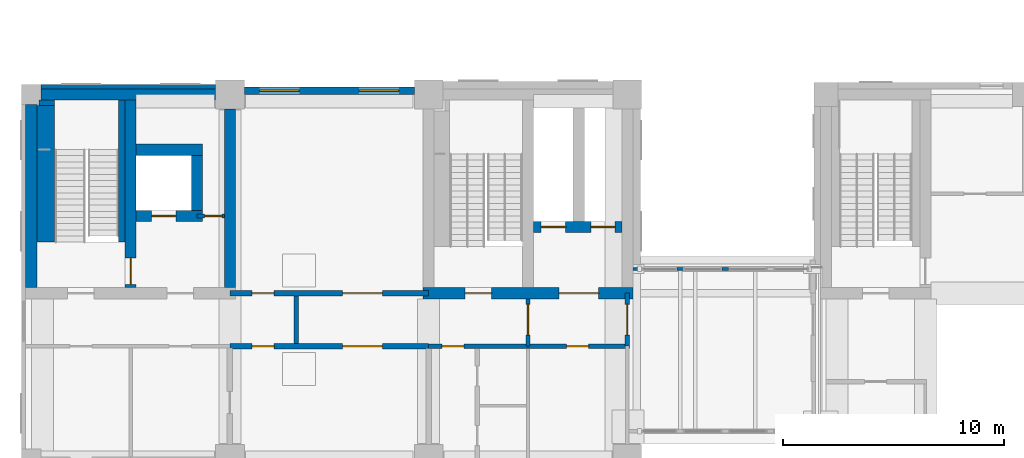
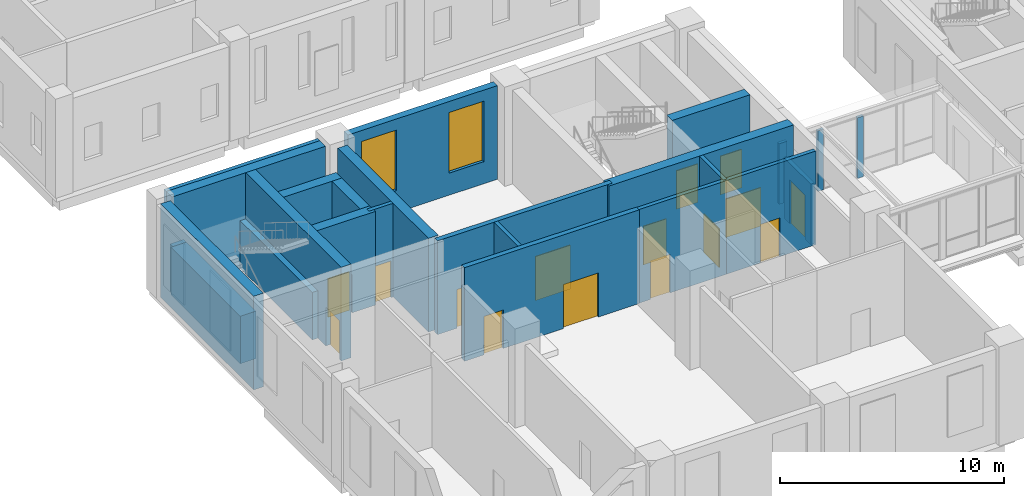
# One storey, part 27 of 52: 25 walls, 15 doors, 2 windows, 17 openings.
"""IFC4 building model written with IfcOpenShell, lengths in metres."""

from ifc_helpers import new_model, si_unit, direction, frame, frame_2d, origin, place, context, subcontext, project, spatial, rectangle, extrude, material, layer, layer_set, type_object, element, fill, save


model = new_model("IFC4")

# Units and contexts
model_context = context("Model", 3, precision=1e-05, world=origin(), true_north=direction((0.0, 1.0)))
body_context = subcontext(model_context, "Body", "Model", "MODEL_VIEW")
ifc_project = project(units=[si_unit("LENGTHUNIT", "METRE"), si_unit("AREAUNIT", "SQUARE_METRE"), si_unit("VOLUMEUNIT", "CUBIC_METRE"), si_unit("PLANEANGLEUNIT", "RADIAN"), si_unit("MASSUNIT", "GRAM", prefix="KILO")], contexts=[model_context])

# Site, building, storey
site_placement = place(None, origin())
site = spatial("IfcSite", under=ifc_project, at=site_placement, CompositionType="ELEMENT")
building_placement = place(site_placement, origin())
building = spatial("IfcBuilding", under=site, at=building_placement, Name="Aurelan Courthouse", CompositionType="ELEMENT")
storey_placement = place(building_placement, frame((0.0, 0.0, 6.60009765625)))
storey = spatial("IfcBuildingStorey", under=building, at=storey_placement, Name="L01", CompositionType="ELEMENT", Elevation=6.60009765625)

# Wall, openings, doors
ifc_material_1 = material(Name="Masonry block", Category="masonry")
ifc_layer_1 = layer(ifc_material_1, 0.25)
ifc_layer_set_1 = layer_set([ifc_layer_1], Name="Masonry block")
wall_type_1 = type_object("IfcWallType", Name="Courtroom wall 250 EI 60", PredefinedType="PARTITIONING", material=ifc_layer_set_1)
wall_1_placement = place(storey_placement, frame((9.0, 17.10009765625, 0.0), z_axis=(0.0, 0.0, 1.0), x_axis=(1.0, 0.0, 0.0)))
wall_1 = element("IfcWall", 1, at=wall_1_placement, inside=storey, type_object=wall_type_1, Name="Courtroom wall L01-018", PredefinedType="PARTITIONING", context=body_context, shape_type="SweptSolid", body=[
    extrude(rectangle(XDim=9.0, YDim=0.25, at=frame_2d((4.5, 0.0))), origin(), (0.0, 0.0, 1.0), 5.099853515625),
])
opening_1_placement = place(wall_1_placement, frame((6.900146484375, 0.0, 0.0), z_axis=(0.0, 0.0, 1.0), x_axis=(-1.0, 0.0, 0.0)))
opening_1 = element("IfcOpeningElement", 2, at=opening_1_placement, cuts=wall_1, Name="Opening D-L01-074", PredefinedType="OPENING", context=body_context, shape_type="SweptSolid", body=[
    extrude(rectangle(XDim=1.800048828125, YDim=2.39990234375, at=frame_2d((0.89990234375, 1.199951171875))), frame((0.0, 0.135009765625, 0.0), z_axis=(0.0, -1.0, 0.0), x_axis=(1.0, 0.0, 0.0)), (0.0, 0.0, 1.0), 0.27001953125),
])
opening_2_placement = place(wall_1_placement, frame((2.0, 0.0, 0.0), z_axis=(0.0, 0.0, 1.0), x_axis=(-1.0, 0.0, 0.0)))
opening_2 = element("IfcOpeningElement", 3, at=opening_2_placement, cuts=wall_1, Name="Opening D-L01-075", PredefinedType="OPENING", context=body_context, shape_type="SweptSolid", body=[
    extrude(rectangle(XDim=1.0, YDim=2.10009765625, at=frame_2d((0.5, 1.050048828125))), frame((0.0, 0.135009765625, 0.0), z_axis=(0.0, -1.0, 0.0), x_axis=(1.0, 0.0, 0.0)), (0.0, 0.0, 1.0), 0.27001953125),
])
ifc_material_2 = material(Name="Steel", Category="steel")
door_type_1 = type_object("IfcDoorType", Name="Double door 1800 x 2400 FD30", OperationType="DOUBLE_DOOR_SINGLE_SWING", PredefinedType="DOOR", material=ifc_material_2)
door_1_placement = place(opening_1_placement, origin())
door_1 = element("IfcDoor", 4, at=door_1_placement, inside=storey, type_object=door_type_1, Name="Double door D-L01-074", OperationType="DOUBLE_DOOR_SINGLE_SWING", OverallHeight=2.39990234375, OverallWidth=1.800048828125, PredefinedType="DOOR", context=body_context, shape_type="SweptSolid", body=[
    extrude(rectangle(XDim=1.800048828125, YDim=2.39990234375, at=frame_2d((0.89990234375, 1.199951171875))), frame((0.0, 0.02490234375, 0.0), z_axis=(0.0, -1.0, 0.0), x_axis=(1.0, 0.0, 0.0)), (0.0, 0.0, 1.0), 0.050048828125),
])
fill(opening_1, door_1)
door_type_2 = type_object("IfcDoorType", Name="Single door 1000 x 2100 FD30", OperationType="SINGLE_SWING_LEFT", PredefinedType="DOOR", material=ifc_material_2)
door_2_placement = place(opening_2_placement, origin())
door_2 = element("IfcDoor", 5, at=door_2_placement, inside=storey, type_object=door_type_2, Name="Single door D-L01-075", OperationType="SINGLE_SWING_RIGHT", OverallHeight=2.10009765625, OverallWidth=1.0, PredefinedType="DOOR", context=body_context, shape_type="SweptSolid", body=[
    extrude(rectangle(XDim=1.0, YDim=2.10009765625, at=frame_2d((0.5, 1.050048828125))), frame((0.0, 0.02490234375, 0.0), z_axis=(0.0, -1.0, 0.0), x_axis=(1.0, 0.0, 0.0)), (0.0, 0.0, 1.0), 0.050048828125),
])
fill(opening_2, door_2)

wall_2_placement = place(storey_placement, frame((9.0, 19.5, 0.0), z_axis=(0.0, 0.0, 1.0), x_axis=(1.0, 0.0, 0.0)))
wall_2 = element("IfcWall", 6, at=wall_2_placement, inside=storey, type_object=wall_type_1, Name="Courtroom wall L01-021", PredefinedType="PARTITIONING", context=body_context, shape_type="SweptSolid", body=[
    extrude(rectangle(XDim=9.0, YDim=0.25, at=frame_2d((4.5, 0.0))), origin(), (0.0, 0.0, 1.0), 5.099853515625),
])
opening_3_placement = place(wall_2_placement, frame((5.10009765625, 0.0, 0.0)))
opening_3 = element("IfcOpeningElement", 7, at=opening_3_placement, cuts=wall_2, Name="Opening D-L01-076", PredefinedType="OPENING", context=body_context, shape_type="SweptSolid", body=[
    extrude(rectangle(XDim=1.800048828125, YDim=2.39990234375, at=frame_2d((0.89990234375, 1.199951171875))), frame((0.0, 0.135009765625, 0.0), z_axis=(0.0, -1.0, 0.0), x_axis=(1.0, 0.0, 0.0)), (0.0, 0.0, 1.0), 0.27001953125),
])
opening_4_placement = place(wall_2_placement, frame((1.0, 0.0, 0.0)))
opening_4 = element("IfcOpeningElement", 8, at=opening_4_placement, cuts=wall_2, Name="Opening D-L01-077", PredefinedType="OPENING", context=body_context, shape_type="SweptSolid", body=[
    extrude(rectangle(XDim=1.0, YDim=2.10009765625, at=frame_2d((0.5, 1.050048828125))), frame((0.0, 0.135009765625, 0.0), z_axis=(0.0, -1.0, 0.0), x_axis=(1.0, 0.0, 0.0)), (0.0, 0.0, 1.0), 0.27001953125),
])
door_3_placement = place(opening_3_placement, origin())
door_3 = element("IfcDoor", 9, at=door_3_placement, inside=storey, type_object=door_type_1, Name="Double door D-L01-076", OperationType="DOUBLE_DOOR_SINGLE_SWING", OverallHeight=2.39990234375, OverallWidth=1.800048828125, PredefinedType="DOOR", context=body_context, shape_type="SweptSolid", body=[
    extrude(rectangle(XDim=1.800048828125, YDim=2.39990234375, at=frame_2d((0.89990234375, 1.199951171875))), frame((0.0, 0.02490234375, 0.0), z_axis=(0.0, -1.0, 0.0), x_axis=(1.0, 0.0, 0.0)), (0.0, 0.0, 1.0), 0.050048828125),
])
fill(opening_3, door_3)
door_4_placement = place(opening_4_placement, origin())
door_4 = element("IfcDoor", 10, at=door_4_placement, inside=storey, type_object=door_type_2, Name="Single door D-L01-077", OperationType="SINGLE_SWING_LEFT", OverallHeight=2.10009765625, OverallWidth=1.0, PredefinedType="DOOR", context=body_context, shape_type="SweptSolid", body=[
    extrude(rectangle(XDim=1.0, YDim=2.10009765625, at=frame_2d((0.5, 1.050048828125))), frame((0.0, 0.02490234375, 0.0), z_axis=(0.0, -1.0, 0.0), x_axis=(1.0, 0.0, 0.0)), (0.0, 0.0, 1.0), 0.050048828125),
])
fill(opening_4, door_4)

# Wall
ifc_material_3 = material(Name="Granite cladding", Category="masonry")
ifc_layer_2 = layer(ifc_material_3, 0.054931640625, Name="Facing")
ifc_material_4 = material(Name="Ventilated cavity")
ifc_layer_3 = layer(ifc_material_4, 0.02490234375, ventilated=True, Name="Ventilated cavity")
ifc_material_5 = material(Name="Mineral wool insulation")
ifc_layer_4 = layer(ifc_material_5, 0.030029296875, Name="Insulation")
ifc_material_6 = material(Name="Concrete C30", Category="concrete")
ifc_layer_5 = layer(ifc_material_6, 0.090087890625, Name="Structure")
ifc_layer_set_2 = layer_set([ifc_layer_2, ifc_layer_3, ifc_layer_4, ifc_layer_5], Name="Concrete C30")
wall_type_2 = type_object("IfcWallType", Name="Courts' Floors granite-faced wall 200", PredefinedType="SOLIDWALL", material=ifc_layer_set_2)
wall_3_placement = place(storey_placement, frame((0.449951171875, 28.85009765625, 0.0), z_axis=(0.0, 0.0, 1.0), x_axis=(1.0, 0.0, 0.0)))
element("IfcWall", 11, at=wall_3_placement, inside=storey, type_object=wall_type_2, Name="Facade wall FW-V5-L01-004", PredefinedType="SOLIDWALL", context=body_context, shape_type="SweptSolid", body=[
    extrude(rectangle(XDim=7.900146484375, YDim=0.199951171875, at=frame_2d((3.9501953125, 0.0))), origin(), (0.0, 0.0, 1.0), 5.099853515625),
])

# Wall, openings, windows
ifc_layer_6 = layer(ifc_material_3, 0.10009765625, Name="Facing")
ifc_layer_7 = layer(ifc_material_4, 0.02490234375, ventilated=True, Name="Ventilated cavity")
ifc_layer_8 = layer(ifc_material_5, 0.050048828125, Name="Insulation")
ifc_layer_9 = layer(ifc_material_6, 0.175048828125, Name="Structure")
ifc_layer_set_3 = layer_set([ifc_layer_6, ifc_layer_7, ifc_layer_8, ifc_layer_9], Name="Concrete C30")
wall_type_3 = type_object("IfcWallType", Name="Courts' Floors granite-faced wall 350", PredefinedType="SOLIDWALL", material=ifc_layer_set_3)
wall_4_placement = place(storey_placement, frame((9.64990234375, 28.675048828125, 0.0), z_axis=(0.0, 0.0, 1.0), x_axis=(1.0, 0.0, 0.0)))
wall_4 = element("IfcWall", 12, at=wall_4_placement, inside=storey, type_object=wall_type_3, Name="Facade wall FW-V5-L01-005", PredefinedType="SOLIDWALL", context=body_context, shape_type="SweptSolid", body=[
    extrude(rectangle(XDim=7.7001953125, YDim=0.35009765625, at=frame_2d((3.85009765625, 0.0))), origin(), (0.0, 0.0, 1.0), 5.099853515625),
])
opening_5_placement = place(wall_4_placement, frame((0.699951171875, 0.0, 1.199951171875)))
opening_5 = element("IfcOpeningElement", 13, at=opening_5_placement, cuts=wall_4, Name="Opening WN-V5-L01-003", PredefinedType="OPENING", context=body_context, shape_type="SweptSolid", body=[
    extrude(rectangle(XDim=1.800048828125, YDim=3.300048828125, at=frame_2d((0.89990234375, 1.64990234375))), frame((0.0, 0.18505859375, 0.0), z_axis=(0.0, -1.0, 0.0), x_axis=(1.0, 0.0, 0.0)), (0.0, 0.0, 1.0), 0.3701171875),
])
opening_6_placement = place(wall_4_placement, frame((5.199951171875, 0.0, 1.199951171875)))
opening_6 = element("IfcOpeningElement", 14, at=opening_6_placement, cuts=wall_4, Name="Opening WN-V5-L01-004", PredefinedType="OPENING", context=body_context, shape_type="SweptSolid", body=[
    extrude(rectangle(XDim=1.800048828125, YDim=3.300048828125, at=frame_2d((0.89990234375, 1.64990234375))), frame((0.0, 0.18505859375, 0.0), z_axis=(0.0, -1.0, 0.0), x_axis=(1.0, 0.0, 0.0)), (0.0, 0.0, 1.0), 0.3701171875),
])
ifc_material_7 = material(Name="Bronze-finished aluminium and glass", Category="aluminium")
window_type = type_object("IfcWindowType", Name="Courts' Floors window 1800 x 3300, sill 1200", PartitioningType="SINGLE_PANEL", PredefinedType="WINDOW", material=ifc_material_7)
window_1_placement = place(opening_5_placement, origin())
window_1 = element("IfcWindow", 15, at=window_1_placement, inside=storey, type_object=window_type, Name="Window WN-V5-L01-003", OverallHeight=3.300048828125, OverallWidth=1.800048828125, PartitioningType="SINGLE_PANEL", PredefinedType="WINDOW", context=body_context, shape_type="SweptSolid", body=[
    extrude(rectangle(XDim=1.800048828125, YDim=3.300048828125, at=frame_2d((0.89990234375, 1.64990234375))), frame((0.0, 0.030029296875, 0.0), z_axis=(0.0, -1.0, 0.0), x_axis=(1.0, 0.0, 0.0)), (0.0, 0.0, 1.0), 0.06005859375),
])
fill(opening_5, window_1)
window_2_placement = place(opening_6_placement, origin())
window_2 = element("IfcWindow", 16, at=window_2_placement, inside=storey, type_object=window_type, Name="Window WN-V5-L01-004", OverallHeight=3.300048828125, OverallWidth=1.800048828125, PartitioningType="SINGLE_PANEL", PredefinedType="WINDOW", context=body_context, shape_type="SweptSolid", body=[
    extrude(rectangle(XDim=1.800048828125, YDim=3.300048828125, at=frame_2d((0.89990234375, 1.64990234375))), frame((0.0, 0.030029296875, 0.0), z_axis=(0.0, -1.0, 0.0), x_axis=(1.0, 0.0, 0.0)), (0.0, 0.0, 1.0), 0.06005859375),
])
fill(opening_6, window_2)

# Wall, opening, door
ifc_layer_10 = layer(ifc_material_1, 0.199951171875)
ifc_layer_set_4 = layer_set([ifc_layer_10], Name="Masonry block")
wall_type_4 = type_object("IfcWallType", Name="Lift lobby wall 200 EI 60", PredefinedType="PARTITIONING", material=ifc_layer_set_4)
wall_5_placement = place(storey_placement, frame((18.0, 17.10009765625, 0.0), z_axis=(0.0, 0.0, 1.0), x_axis=(1.0, 0.0, 0.0)))
wall_5 = element("IfcWall", 17, at=wall_5_placement, inside=storey, type_object=wall_type_4, Name="Lift lobby wall L01-019", PredefinedType="PARTITIONING", context=body_context, shape_type="SweptSolid", body=[
    extrude(rectangle(XDim=4.5, YDim=0.199951171875, at=frame_2d((2.25, 0.0))), origin(), (0.0, 0.0, 1.0), 5.099853515625),
])
opening_7_placement = place(wall_5_placement, frame((0.60009765625, 0.0, 0.0)))
opening_7 = element("IfcOpeningElement", 18, at=opening_7_placement, cuts=wall_5, Name="Opening D-L01-085", PredefinedType="OPENING", context=body_context, shape_type="SweptSolid", body=[
    extrude(rectangle(XDim=1.0, YDim=2.10009765625, at=frame_2d((0.5, 1.050048828125))), frame((0.0, 0.10986328125, 0.0), z_axis=(0.0, -1.0, 0.0), x_axis=(1.0, 0.0, 0.0)), (0.0, 0.0, 1.0), 0.219970703125),
])
door_type_3 = type_object("IfcDoorType", Name="Single door 1000 x 2100 FD60", OperationType="SINGLE_SWING_LEFT", PredefinedType="DOOR", material=ifc_material_2)
door_5_placement = place(opening_7_placement, origin())
door_5 = element("IfcDoor", 19, at=door_5_placement, inside=storey, type_object=door_type_3, Name="Single door D-L01-085", OperationType="SINGLE_SWING_RIGHT", OverallHeight=2.10009765625, OverallWidth=1.0, PredefinedType="DOOR", context=body_context, shape_type="SweptSolid", body=[
    extrude(rectangle(XDim=1.0, YDim=2.10009765625, at=frame_2d((0.5, 1.050048828125))), frame((0.0, 0.02490234375, 0.0), z_axis=(0.0, -1.0, 0.0), x_axis=(1.0, 0.0, 0.0)), (0.0, 0.0, 1.0), 0.050048828125),
])
fill(opening_7, door_5)

wall_6_placement = place(storey_placement, frame((22.5, 17.10009765625, 0.0), z_axis=(0.0, 0.0, 1.0), x_axis=(1.0, 0.0, 0.0)))
wall_6 = element("IfcWall", 20, at=wall_6_placement, inside=storey, type_object=wall_type_4, Name="Lift lobby wall L01-020", PredefinedType="PARTITIONING", context=body_context, shape_type="SweptSolid", body=[
    extrude(rectangle(XDim=4.60009765625, YDim=0.199951171875, at=frame_2d((2.300048828125, 0.0))), origin(), (0.0, 0.0, 1.0), 5.099853515625),
])
opening_8_placement = place(wall_6_placement, frame((2.75, 0.0, 0.0), z_axis=(0.0, 0.0, 1.0), x_axis=(-1.0, 0.0, 0.0)))
opening_8 = element("IfcOpeningElement", 21, at=opening_8_placement, cuts=wall_6, Name="Opening D-L01-084", PredefinedType="OPENING", context=body_context, shape_type="SweptSolid", body=[
    extrude(rectangle(XDim=1.0, YDim=2.10009765625, at=frame_2d((0.5, 1.050048828125))), frame((0.0, 0.10986328125, 0.0), z_axis=(0.0, -1.0, 0.0), x_axis=(1.0, 0.0, 0.0)), (0.0, 0.0, 1.0), 0.219970703125),
])
door_6_placement = place(opening_8_placement, origin())
door_6 = element("IfcDoor", 22, at=door_6_placement, inside=storey, type_object=door_type_3, Name="Single door D-L01-084", OperationType="SINGLE_SWING_RIGHT", OverallHeight=2.10009765625, OverallWidth=1.0, PredefinedType="DOOR", context=body_context, shape_type="SweptSolid", body=[
    extrude(rectangle(XDim=1.0, YDim=2.10009765625, at=frame_2d((0.5, 1.050048828125))), frame((0.0, 0.02490234375, 0.0), z_axis=(0.0, -1.0, 0.0), x_axis=(1.0, 0.0, 0.0)), (0.0, 0.0, 1.0), 0.050048828125),
])
fill(opening_8, door_6)

# Wall
wall_7_placement = place(storey_placement, frame((12.0, 17.22509765625, 0.0), z_axis=(0.0, 0.0, 1.0), x_axis=(0.0, 1.0, 0.0)))
element("IfcWall", 23, at=wall_7_placement, inside=storey, type_object=wall_type_4, Name="Lift lobby wall L01-076", PredefinedType="PARTITIONING", context=body_context, shape_type="SweptSolid", body=[
    extrude(rectangle(XDim=2.14990234375, YDim=0.199951171875, at=frame_2d((1.074951171875, 0.0))), origin(), (0.0, 0.0, 1.0), 5.099853515625),
])

# Wall, opening, door
wall_8_placement = place(storey_placement, frame((22.5, 17.10009765625, 0.0), z_axis=(0.0, 0.0, 1.0), x_axis=(0.0, 1.0, 0.0)))
wall_8 = element("IfcWall", 24, at=wall_8_placement, inside=storey, type_object=wall_type_4, Name="Lift lobby wall L01-082", PredefinedType="PARTITIONING", context=body_context, shape_type="SweptSolid", body=[
    extrude(rectangle(XDim=2.14990234375, YDim=0.199951171875, at=frame_2d((1.074951171875, 0.0))), origin(), (0.0, 0.0, 1.0), 5.099853515625),
])
opening_9_placement = place(wall_8_placement, frame((1.89990234375, 0.0, 0.0), z_axis=(0.0, 0.0, 1.0), x_axis=(-1.0, 0.0, 0.0)))
opening_9 = element("IfcOpeningElement", 25, at=opening_9_placement, cuts=wall_8, Name="Opening D-L01-064", PredefinedType="OPENING", context=body_context, shape_type="SweptSolid", body=[
    extrude(rectangle(XDim=1.39990234375, YDim=2.10009765625, at=frame_2d((0.699951171875, 1.050048828125))), frame((0.0, 0.10986328125, 0.0), z_axis=(0.0, -1.0, 0.0), x_axis=(1.0, 0.0, 0.0)), (0.0, 0.0, 1.0), 0.219970703125),
])
door_type_4 = type_object("IfcDoorType", Name="Double door 1400 x 2100 FD60", OperationType="DOUBLE_DOOR_SINGLE_SWING", PredefinedType="DOOR", material=ifc_material_2)
door_7_placement = place(opening_9_placement, origin())
door_7 = element("IfcDoor", 26, at=door_7_placement, inside=storey, type_object=door_type_4, Name="Double door D-L01-064", OperationType="DOUBLE_DOOR_SINGLE_SWING", OverallHeight=2.10009765625, OverallWidth=1.39990234375, PredefinedType="DOOR", context=body_context, shape_type="SweptSolid", body=[
    extrude(rectangle(XDim=1.39990234375, YDim=2.10009765625, at=frame_2d((0.699951171875, 1.050048828125))), frame((0.0, 0.02490234375, 0.0), z_axis=(0.0, -1.0, 0.0), x_axis=(1.0, 0.0, 0.0)), (0.0, 0.0, 1.0), 0.050048828125),
])
fill(opening_9, door_7)

wall_9_placement = place(storey_placement, frame((27.0, 17.10009765625, 0.0), z_axis=(0.0, 0.0, 1.0), x_axis=(0.0, 1.0, 0.0)))
wall_9 = element("IfcWall", 27, at=wall_9_placement, inside=storey, type_object=wall_type_4, Name="Lift lobby wall L01-085", PredefinedType="PARTITIONING", context=body_context, shape_type="SweptSolid", body=[
    extrude(rectangle(XDim=2.39990234375, YDim=0.199951171875, at=frame_2d((1.199951171875, 0.0))), origin(), (0.0, 0.0, 1.0), 3.2998046875),
])
opening_10_placement = place(wall_9_placement, frame((0.5, 0.0, 0.0)))
opening_10 = element("IfcOpeningElement", 28, at=opening_10_placement, cuts=wall_9, Name="Opening D-L01-118", PredefinedType="OPENING", context=body_context, shape_type="SweptSolid", body=[
    extrude(rectangle(XDim=1.39990234375, YDim=2.39990234375, at=frame_2d((0.699951171875, 1.199951171875))), frame((0.0, 0.10986328125, 0.0), z_axis=(0.0, -1.0, 0.0), x_axis=(1.0, 0.0, 0.0)), (0.0, 0.0, 1.0), 0.219970703125),
])
door_type_5 = type_object("IfcDoorType", Name="Double door 1400 x 2400 FD60", OperationType="DOUBLE_DOOR_SINGLE_SWING", PredefinedType="DOOR", material=ifc_material_2)
door_8_placement = place(opening_10_placement, origin())
door_8 = element("IfcDoor", 29, at=door_8_placement, inside=storey, type_object=door_type_5, Name="Double door D-L01-118", OperationType="DOUBLE_DOOR_SINGLE_SWING", OverallHeight=2.39990234375, OverallWidth=1.39990234375, PredefinedType="DOOR", context=body_context, shape_type="SweptSolid", body=[
    extrude(rectangle(XDim=1.39990234375, YDim=2.39990234375, at=frame_2d((0.699951171875, 1.199951171875))), frame((0.0, 0.02490234375, 0.0), z_axis=(0.0, -1.0, 0.0), x_axis=(1.0, 0.0, 0.0)), (0.0, 0.0, 1.0), 0.050048828125),
])
fill(opening_10, door_8)

# Walls
ifc_material_8 = material(Name="Concrete C40", Category="concrete")
ifc_layer_11 = layer(ifc_material_8, 0.14990234375)
ifc_layer_set_5 = layer_set([ifc_layer_11], Name="Concrete C40")
wall_type_5 = type_object("IfcWallType", Name="Passage end pier 150 x 400 x 3300", PredefinedType="SOLIDWALL", material=ifc_layer_set_5)
wall_10_placement = place(storey_placement, frame((27.25, 20.60009765625, 0.0), z_axis=(0.0, 0.0, 1.0), x_axis=(1.0, 0.0, 0.0)))
element("IfcWall", 30, at=wall_10_placement, inside=storey, type_object=wall_type_5, Name="Passage pier BR1-P06", PredefinedType="SOLIDWALL", context=body_context, shape_type="SweptSolid", body=[
    extrude(rectangle(XDim=0.39990234375, YDim=0.14990234375, at=frame_2d((0.199951171875, 0.0))), origin(), (0.0, 0.0, 1.0), 3.2998046875),
])
ifc_layer_12 = layer(ifc_material_8, 0.14990234375)
ifc_layer_set_6 = layer_set([ifc_layer_12], Name="Concrete C40")
wall_type_6 = type_object("IfcWallType", Name="Passage pier 150 x 300 x 3300", PredefinedType="SOLIDWALL", material=ifc_layer_set_6)
for number, where, z_axis, x_axis, name in (
    (31, (29.243896484375, 20.60009765625, 0.0), (0.0, 0.0, 1.0), (1.0, 0.0, 0.0), "Passage pier BR1-P07"),
    (32, (31.28759765625, 20.60009765625, 0.0), (0.0, 0.0, 1.0), (1.0, 0.0, 0.0), "Passage pier BR1-P08"),
):
    element("IfcWall", number, at=place(storey_placement, frame(where, z_axis=z_axis, x_axis=x_axis)), inside=storey, type_object=wall_type_6, Name=name, PredefinedType="SOLIDWALL", context=body_context, shape_type="SweptSolid", body=[
        extrude(rectangle(XDim=0.2998046875, YDim=0.14990234375, at=frame_2d((0.14990234375, 0.0))), origin(), (0.0, 0.0, 1.0), 3.2998046875),
    ])

# Wall, openings, doors
ifc_material_9 = material(Name="Concrete C50", Category="concrete")
ifc_layer_13 = layer(ifc_material_9, 0.5)
ifc_layer_set_7 = layer_set([ifc_layer_13], Name="Concrete C50")
wall_type_7 = type_object("IfcWallType", Name="RC shear wall 500", PredefinedType="SHEAR", material=ifc_layer_set_7)
wall_11_placement = place(storey_placement, frame((17.75, 19.5, 0.0), z_axis=(0.0, 0.0, 1.0), x_axis=(1.0, 0.0, 0.0)))
wall_11 = element("IfcWall", 33, at=wall_11_placement, inside=storey, type_object=wall_type_7, Name="Core wall SW-L01-006", PredefinedType="SHEAR", context=body_context, shape_type="SweptSolid", body=[
    extrude(rectangle(XDim=9.5, YDim=0.5, at=frame_2d((4.75, 0.0))), origin(), (0.0, 0.0, 1.0), 5.099853515625),
])
opening_11_placement = place(wall_11_placement, frame((1.89990234375, 0.0, 0.0)))
opening_11 = element("IfcOpeningElement", 34, at=opening_11_placement, cuts=wall_11, Name="Opening D-L01-070", PredefinedType="OPENING", context=body_context, shape_type="SweptSolid", body=[
    extrude(rectangle(XDim=1.199951171875, YDim=2.10009765625, at=frame_2d((0.60009765625, 1.050048828125))), frame((0.0, 0.260009765625, 0.0), z_axis=(0.0, -1.0, 0.0), x_axis=(1.0, 0.0, 0.0)), (0.0, 0.0, 1.0), 0.52001953125),
])
opening_12_placement = place(wall_11_placement, frame((7.949951171875, 0.0, 0.0), z_axis=(0.0, 0.0, 1.0), x_axis=(-1.0, 0.0, 0.0)))
opening_12 = element("IfcOpeningElement", 35, at=opening_12_placement, cuts=wall_11, Name="Opening D-L01-071", PredefinedType="OPENING", context=body_context, shape_type="SweptSolid", body=[
    extrude(rectangle(XDim=1.800048828125, YDim=2.10009765625, at=frame_2d((0.89990234375, 1.050048828125))), frame((0.0, 0.260009765625, 0.0), z_axis=(0.0, -1.0, 0.0), x_axis=(1.0, 0.0, 0.0)), (0.0, 0.0, 1.0), 0.52001953125),
])
door_type_6 = type_object("IfcDoorType", Name="Double door 1800 x 2100 FD90", OperationType="DOUBLE_DOOR_SINGLE_SWING", PredefinedType="DOOR", material=ifc_material_2)
door_9_placement = place(opening_12_placement, origin())
door_9 = element("IfcDoor", 36, at=door_9_placement, inside=storey, type_object=door_type_6, Name="Double door D-L01-071", OperationType="DOUBLE_DOOR_SINGLE_SWING", OverallHeight=2.10009765625, OverallWidth=1.800048828125, PredefinedType="DOOR", context=body_context, shape_type="SweptSolid", body=[
    extrude(rectangle(XDim=1.800048828125, YDim=2.10009765625, at=frame_2d((0.89990234375, 1.050048828125))), frame((0.0, 0.02490234375, 0.0), z_axis=(0.0, -1.0, 0.0), x_axis=(1.0, 0.0, 0.0)), (0.0, 0.0, 1.0), 0.050048828125),
])
fill(opening_12, door_9)
door_type_7 = type_object("IfcDoorType", Name="Single door 1200 x 2100 FD90", OperationType="SINGLE_SWING_LEFT", PredefinedType="DOOR", material=ifc_material_2)
door_10_placement = place(opening_11_placement, origin())
door_10 = element("IfcDoor", 37, at=door_10_placement, inside=storey, type_object=door_type_7, Name="Single door D-L01-070", OperationType="SINGLE_SWING_LEFT", OverallHeight=2.10009765625, OverallWidth=1.199951171875, PredefinedType="DOOR", context=body_context, shape_type="SweptSolid", body=[
    extrude(rectangle(XDim=1.199951171875, YDim=2.10009765625, at=frame_2d((0.60009765625, 1.050048828125))), frame((0.0, 0.02490234375, 0.0), z_axis=(0.0, -1.0, 0.0), x_axis=(1.0, 0.0, 0.0)), (0.0, 0.0, 1.0), 0.050048828125),
])
fill(opening_11, door_10)

# Wall
wall_12_placement = place(storey_placement, frame((0.0, 19.75, 0.0), z_axis=(0.0, 0.0, 1.0), x_axis=(0.0, 1.0, 0.0)))
element("IfcWall", 38, at=wall_12_placement, inside=storey, type_object=wall_type_7, Name="Core wall SW-L01-011", PredefinedType="SHEAR", context=body_context, shape_type="SweptSolid", body=[
    extrude(rectangle(XDim=8.300048828125, YDim=0.5, at=frame_2d((4.14990234375, 0.0))), origin(), (0.0, 0.0, 1.0), 5.099853515625),
])

# Wall, opening, door
wall_13_placement = place(storey_placement, frame((4.5, 19.75, 0.0), z_axis=(0.0, 0.0, 1.0), x_axis=(0.0, 1.0, 0.0)))
wall_13 = element("IfcWall", 39, at=wall_13_placement, inside=storey, type_object=wall_type_7, Name="Core wall SW-L01-012", PredefinedType="SHEAR", context=body_context, shape_type="SweptSolid", body=[
    extrude(rectangle(XDim=8.5, YDim=0.5, at=frame_2d((4.25, 0.0))), origin(), (0.0, 0.0, 1.0), 5.099853515625),
])
opening_13_placement = place(wall_13_placement, frame((0.14990234375, 0.0, 0.0)))
opening_13 = element("IfcOpeningElement", 40, at=opening_13_placement, cuts=wall_13, Name="Opening D-L01-066", PredefinedType="OPENING", context=body_context, shape_type="SweptSolid", body=[
    extrude(rectangle(XDim=1.199951171875, YDim=2.10009765625, at=frame_2d((0.60009765625, 1.050048828125))), frame((0.0, 0.260009765625, 0.0), z_axis=(0.0, -1.0, 0.0), x_axis=(1.0, 0.0, 0.0)), (0.0, 0.0, 1.0), 0.52001953125),
])
door_11_placement = place(opening_13_placement, origin())
door_11 = element("IfcDoor", 41, at=door_11_placement, inside=storey, type_object=door_type_7, Name="Single door D-L01-066", OperationType="SINGLE_SWING_LEFT", OverallHeight=2.10009765625, OverallWidth=1.199951171875, PredefinedType="DOOR", context=body_context, shape_type="SweptSolid", body=[
    extrude(rectangle(XDim=1.199951171875, YDim=2.10009765625, at=frame_2d((0.60009765625, 1.050048828125))), frame((0.0, 0.02490234375, 0.0), z_axis=(0.0, -1.0, 0.0), x_axis=(1.0, 0.0, 0.0)), (0.0, 0.0, 1.0), 0.050048828125),
])
fill(opening_13, door_11)

# Wall
wall_14_placement = place(storey_placement, frame((9.0, 19.75, 0.0), z_axis=(0.0, 0.0, 1.0), x_axis=(0.0, 1.0, 0.0)))
element("IfcWall", 42, at=wall_14_placement, inside=storey, type_object=wall_type_7, Name="Core wall SW-L01-013", PredefinedType="SHEAR", context=body_context, shape_type="SweptSolid", body=[
    extrude(rectangle(XDim=8.10009765625, YDim=0.5, at=frame_2d((4.050048828125, 0.0))), origin(), (0.0, 0.0, 1.0), 5.099853515625),
])

# Wall, openings, doors
wall_15_placement = place(storey_placement, frame((22.75, 22.5, 0.0), z_axis=(0.0, 0.0, 1.0), x_axis=(1.0, 0.0, 0.0)))
wall_15 = element("IfcWall", 43, at=wall_15_placement, inside=storey, type_object=wall_type_7, Name="Core wall SW-L01-025", PredefinedType="SHEAR", context=body_context, shape_type="SweptSolid", body=[
    extrude(rectangle(XDim=4.0, YDim=0.5, at=frame_2d((2.0, 0.0))), origin(), (0.0, 0.0, 1.0), 5.099853515625),
])
opening_14_placement = place(wall_15_placement, frame((0.35009765625, 0.0, 0.0)))
opening_14 = element("IfcOpeningElement", 44, at=opening_14_placement, cuts=wall_15, Name="Opening LD-V5-P1-L01", PredefinedType="OPENING", context=body_context, shape_type="SweptSolid", body=[
    extrude(rectangle(XDim=1.10009765625, YDim=2.10009765625, at=frame_2d((0.550048828125, 1.050048828125))), frame((0.0, 0.260009765625, 0.0), z_axis=(0.0, -1.0, 0.0), x_axis=(1.0, 0.0, 0.0)), (0.0, 0.0, 1.0), 0.52001953125),
])
opening_15_placement = place(wall_15_placement, frame((2.60009765625, 0.0, 0.0)))
opening_15 = element("IfcOpeningElement", 45, at=opening_15_placement, cuts=wall_15, Name="Opening LD-V5-P2-L01", PredefinedType="OPENING", context=body_context, shape_type="SweptSolid", body=[
    extrude(rectangle(XDim=1.10009765625, YDim=2.10009765625, at=frame_2d((0.550048828125, 1.050048828125))), frame((0.0, 0.260009765625, 0.0), z_axis=(0.0, -1.0, 0.0), x_axis=(1.0, 0.0, 0.0)), (0.0, 0.0, 1.0), 0.52001953125),
])
door_type_8 = type_object("IfcDoorType", Name="Lift landing door 1100 x 2100 FD90", OperationType="SLIDING_TO_LEFT", PredefinedType="DOOR", material=ifc_material_2)
door_12_placement = place(opening_14_placement, origin())
door_12 = element("IfcDoor", 46, at=door_12_placement, inside=storey, type_object=door_type_8, Name="Lift landing door LD-V5-P1-L01", OperationType="SLIDING_TO_LEFT", OverallHeight=2.10009765625, OverallWidth=1.10009765625, PredefinedType="DOOR", context=body_context, shape_type="SweptSolid", body=[
    extrude(rectangle(XDim=1.10009765625, YDim=2.10009765625, at=frame_2d((0.550048828125, 1.050048828125))), frame((0.0, 0.02490234375, 0.0), z_axis=(0.0, -1.0, 0.0), x_axis=(1.0, 0.0, 0.0)), (0.0, 0.0, 1.0), 0.050048828125),
])
fill(opening_14, door_12)
door_13_placement = place(opening_15_placement, origin())
door_13 = element("IfcDoor", 47, at=door_13_placement, inside=storey, type_object=door_type_8, Name="Lift landing door LD-V5-P2-L01", OperationType="SLIDING_TO_LEFT", OverallHeight=2.10009765625, OverallWidth=1.10009765625, PredefinedType="DOOR", context=body_context, shape_type="SweptSolid", body=[
    extrude(rectangle(XDim=1.10009765625, YDim=2.10009765625, at=frame_2d((0.550048828125, 1.050048828125))), frame((0.0, 0.02490234375, 0.0), z_axis=(0.0, -1.0, 0.0), x_axis=(1.0, 0.0, 0.0)), (0.0, 0.0, 1.0), 0.050048828125),
])
fill(opening_15, door_13)

# Wall, opening, door
wall_16_placement = place(storey_placement, frame((4.75, 23.0, 0.0), z_axis=(0.0, 0.0, 1.0), x_axis=(1.0, 0.0, 0.0)))
wall_16 = element("IfcWall", 48, at=wall_16_placement, inside=storey, type_object=wall_type_7, Name="Core wall SW-L01-027", PredefinedType="SHEAR", context=body_context, shape_type="SweptSolid", body=[
    extrude(rectangle(XDim=3.0, YDim=0.5, at=frame_2d((1.5, 0.0))), origin(), (0.0, 0.0, 1.0), 5.099853515625),
])
opening_16_placement = place(wall_16_placement, frame((0.699951171875, 0.0, 0.0)))
opening_16 = element("IfcOpeningElement", 49, at=opening_16_placement, cuts=wall_16, Name="Opening LD-V5-F1-L01", PredefinedType="OPENING", context=body_context, shape_type="SweptSolid", body=[
    extrude(rectangle(XDim=1.10009765625, YDim=2.10009765625, at=frame_2d((0.550048828125, 1.050048828125))), frame((0.0, 0.260009765625, 0.0), z_axis=(0.0, -1.0, 0.0), x_axis=(1.0, 0.0, 0.0)), (0.0, 0.0, 1.0), 0.52001953125),
])
door_14_placement = place(opening_16_placement, origin())
door_14 = element("IfcDoor", 50, at=door_14_placement, inside=storey, type_object=door_type_8, Name="Lift landing door LD-V5-F1-L01", OperationType="SLIDING_TO_LEFT", OverallHeight=2.10009765625, OverallWidth=1.10009765625, PredefinedType="DOOR", context=body_context, shape_type="SweptSolid", body=[
    extrude(rectangle(XDim=1.10009765625, YDim=2.10009765625, at=frame_2d((0.550048828125, 1.050048828125))), frame((0.0, 0.02490234375, 0.0), z_axis=(0.0, -1.0, 0.0), x_axis=(1.0, 0.0, 0.0)), (0.0, 0.0, 1.0), 0.050048828125),
])
fill(opening_16, door_14)

# Walls
wall_17_placement = place(storey_placement, frame((7.5, 23.25, 0.0), z_axis=(0.0, 0.0, 1.0), x_axis=(0.0, 1.0, 0.0)))
element("IfcWall", 51, at=wall_17_placement, inside=storey, type_object=wall_type_7, Name="Core wall SW-L01-028", PredefinedType="SHEAR", context=body_context, shape_type="SweptSolid", body=[
    extrude(rectangle(XDim=2.5, YDim=0.5, at=frame_2d((1.25, 0.0))), origin(), (0.0, 0.0, 1.0), 5.099853515625),
])
wall_18_placement = place(storey_placement, frame((4.75, 26.0, 0.0), z_axis=(0.0, 0.0, 1.0), x_axis=(1.0, 0.0, 0.0)))
element("IfcWall", 52, at=wall_18_placement, inside=storey, type_object=wall_type_7, Name="Core wall SW-L01-031", PredefinedType="SHEAR", context=body_context, shape_type="SweptSolid", body=[
    extrude(rectangle(XDim=3.0, YDim=0.5, at=frame_2d((1.5, 0.0))), origin(), (0.0, 0.0, 1.0), 5.099853515625),
])
wall_19_placement = place(storey_placement, frame((0.449951171875, 28.5, 0.0), z_axis=(0.0, 0.0, 1.0), x_axis=(1.0, 0.0, 0.0)))
element("IfcWall", 53, at=wall_19_placement, inside=storey, type_object=wall_type_7, Name="Core wall SW-L01-032", PredefinedType="SHEAR", context=body_context, shape_type="SweptSolid", body=[
    extrude(rectangle(XDim=7.900146484375, YDim=0.5, at=frame_2d((3.9501953125, 0.0))), origin(), (0.0, 0.0, 1.0), 5.099853515625),
])

# Wall, opening, door
ifc_layer_14 = layer(ifc_material_6, 0.199951171875)
ifc_layer_set_8 = layer_set([ifc_layer_14], Name="Concrete C30")
wall_type_8 = type_object("IfcWallType", Name="Shaft wall 200 EI 120 load-bearing", PredefinedType="SHEAR", material=ifc_layer_set_8)
wall_20_placement = place(storey_placement, frame((7.5, 23.0, 0.0), z_axis=(0.0, 0.0, 1.0), x_axis=(1.0, 0.0, 0.0)))
wall_20 = element("IfcWall", 54, at=wall_20_placement, inside=storey, type_object=wall_type_8, Name="Shaft wall L01-023", PredefinedType="SHEAR", context=body_context, shape_type="SweptSolid", body=[
    extrude(rectangle(XDim=1.25, YDim=0.199951171875, at=frame_2d((0.625, 0.0))), origin(), (0.0, 0.0, 1.0), 5.099853515625),
])
opening_17_placement = place(wall_20_placement, frame((1.150146484375, 0.0, 0.0), z_axis=(0.0, 0.0, 1.0), x_axis=(-1.0, 0.0, 0.0)))
opening_17 = element("IfcOpeningElement", 55, at=opening_17_placement, cuts=wall_20, Name="Opening D-L01-069", PredefinedType="OPENING", context=body_context, shape_type="SweptSolid", body=[
    extrude(rectangle(XDim=0.800048828125, YDim=2.0, at=frame_2d((0.39990234375, 1.0))), frame((0.0, 0.10986328125, 0.0), z_axis=(0.0, -1.0, 0.0), x_axis=(1.0, 0.0, 0.0)), (0.0, 0.0, 1.0), 0.219970703125),
])
door_type_9 = type_object("IfcDoorType", Name="Single door 800 x 2000 FD90", OperationType="SINGLE_SWING_LEFT", PredefinedType="DOOR", material=ifc_material_2)
door_15_placement = place(opening_17_placement, origin())
door_15 = element("IfcDoor", 56, at=door_15_placement, inside=storey, type_object=door_type_9, Name="Single door D-L01-069", OperationType="SINGLE_SWING_LEFT", OverallHeight=2.0, OverallWidth=0.800048828125, PredefinedType="DOOR", context=body_context, shape_type="SweptSolid", body=[
    extrude(rectangle(XDim=0.800048828125, YDim=2.0, at=frame_2d((0.39990234375, 1.0))), frame((0.0, 0.02490234375, 0.0), z_axis=(0.0, -1.0, 0.0), x_axis=(1.0, 0.0, 0.0)), (0.0, 0.0, 1.0), 0.050048828125),
])
fill(opening_17, door_15)

# Walls
ifc_layer_15 = layer(ifc_material_6, 0.2900390625)
ifc_layer_set_9 = layer_set([ifc_layer_15], Name="Concrete C30")
wall_type_9 = type_object("IfcWallType", Name="Stair well wall 290 EI 120 load-bearing", PredefinedType="SHEAR", material=ifc_layer_set_9)
wall_21_placement = place(storey_placement, frame((4.10498046875, 21.81005859375, 0.0), z_axis=(0.0, 0.0, 1.0), x_axis=(0.0, 1.0, 0.0)))
element("IfcWall", 57, at=wall_21_placement, inside=storey, type_object=wall_type_9, Name="Stair well wall ST-5B-L01 B", PredefinedType="SHEAR", context=body_context, shape_type="SweptSolid", body=[
    extrude(rectangle(XDim=6.43994140625, YDim=0.2900390625, at=frame_2d((3.219970703125, 0.0))), origin(), (0.0, 0.0, 1.0), 2.5869140625),
])
ifc_layer_16 = layer(ifc_material_6, 0.7099609375)
ifc_layer_set_10 = layer_set([ifc_layer_16], Name="Concrete C30")
wall_type_10 = type_object("IfcWallType", Name="Stair well wall 710 EI 120 load-bearing", PredefinedType="SHEAR", material=ifc_layer_set_10)
wall_22_placement = place(storey_placement, frame((0.705078125, 28.0, 0.0), z_axis=(0.0, 0.0, 1.0), x_axis=(0.0, 1.0, 0.0)))
element("IfcWall", 58, at=wall_22_placement, inside=storey, type_object=wall_type_10, Name="Stair well wall ST-5B-L01 A2", PredefinedType="SHEAR", context=body_context, shape_type="SweptSolid", body=[
    extrude(rectangle(XDim=0.25, YDim=0.7099609375, at=frame_2d((0.125, 0.0))), origin(), (0.0, 0.0, 1.0), 2.5869140625),
])
ifc_layer_17 = layer(ifc_material_6, 0.81005859375)
ifc_layer_set_11 = layer_set([ifc_layer_17], Name="Concrete C30")
wall_type_11 = type_object("IfcWallType", Name="Stair well wall 810 EI 120 load-bearing", PredefinedType="SHEAR", material=ifc_layer_set_11)
wall_23_placement = place(storey_placement, frame((0.655029296875, 21.81005859375, 0.0), z_axis=(0.0, 0.0, 1.0), x_axis=(0.0, 1.0, 0.0)))
element("IfcWall", 59, at=wall_23_placement, inside=storey, type_object=wall_type_11, Name="Stair well wall ST-5B-L01 A", PredefinedType="SHEAR", context=body_context, shape_type="SweptSolid", body=[
    extrude(rectangle(XDim=6.18994140625, YDim=0.81005859375, at=frame_2d((3.094970703125, 0.0))), origin(), (0.0, 0.0, 1.0), 2.5869140625),
])

save(model, "model.ifc")
